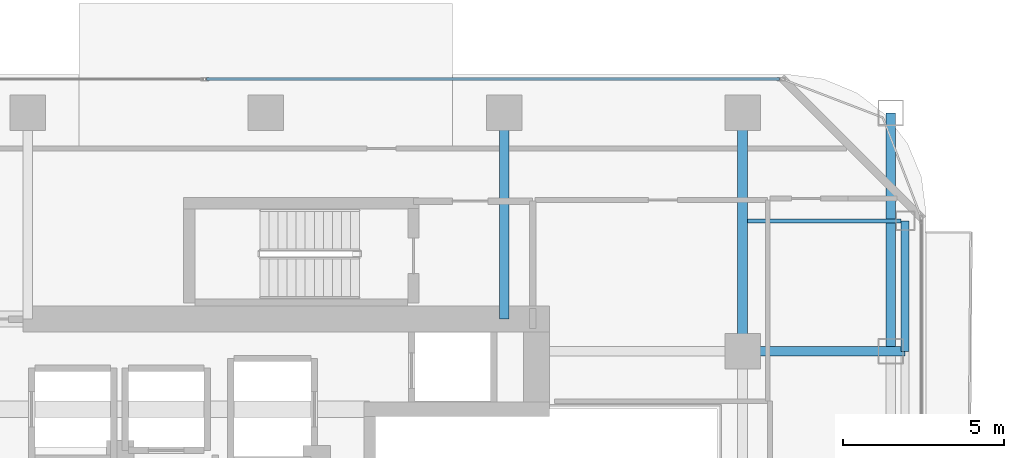
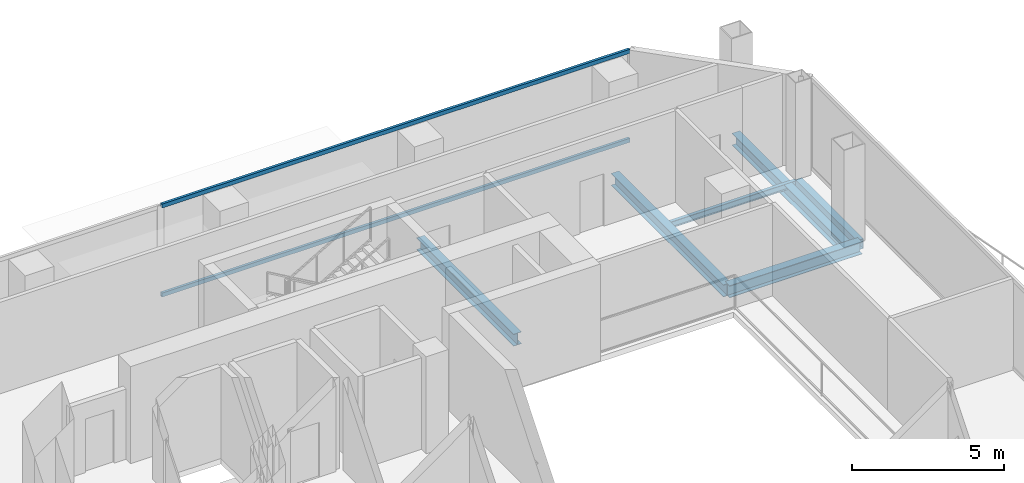
# One storey, part 14 of 23: 6 beams, 2 members, 1 element without a shape of its own.
"""IFC4 building model written with IfcOpenShell, lengths in metres."""

from ifc_helpers import new_model, si_unit, direction, frame, origin, origin_2d, place, context, subcontext, project, spatial, hollow_rectangle, i_section, extrude, material, layer, layer_set, material_profile, profile_set, type_object, element, aggregate, save


model = new_model("IFC4")

# Units and contexts
model_context = context("Model", 3, precision=1e-05, world=origin(), true_north=direction((0.0, 1.0)))
body_context = subcontext(model_context, "Body", "Model", "MODEL_VIEW")
ifc_project = project(units=[si_unit("LENGTHUNIT", "METRE"), si_unit("AREAUNIT", "SQUARE_METRE"), si_unit("VOLUMEUNIT", "CUBIC_METRE"), si_unit("PLANEANGLEUNIT", "RADIAN"), si_unit("MASSUNIT", "GRAM", prefix="KILO")], contexts=[model_context])

# Site, building, storey
site_placement = place(None, origin())
site = spatial("IfcSite", under=ifc_project, at=site_placement, CompositionType="ELEMENT")
building_placement = place(site_placement, origin())
building = spatial("IfcBuilding", under=site, at=building_placement, Name="Khorvyn Point Tower", CompositionType="ELEMENT")
storey_placement = place(building_placement, frame((0.0, 0.0, 195.300048828125)))
storey = spatial("IfcBuildingStorey", under=building, at=storey_placement, Name="L48", CompositionType="ELEMENT", Elevation=195.300048828125)

# Curtain wall, members
ifc_material_1 = material(Name="Anodised aluminium 6063-T6 and laminated Low-E glass", Category="aluminium")
ifc_layer = layer(ifc_material_1, 0.18994140625)
ifc_layer_set = layer_set([ifc_layer], Name="Stick-Built Acoustic Curtain Wall CW-SYS-03")
curtain_wall_type = type_object("IfcCurtainWallType", Name="Stick-Built Acoustic Curtain Wall CW-SYS-03", PredefinedType="NOTDEFINED", material=ifc_layer_set)
curtain_wall_placement = place(storey_placement, origin())
curtain_wall = element("IfcCurtainWall", 1, at=curtain_wall_placement, inside=storey, type_object=curtain_wall_type, Name="Curtain Wall", PredefinedType="NOTDEFINED")
ifc_material_2 = material(Name="Anodised aluminium 6063-T6", Category="aluminium")
ifc_material_profile_1 = material_profile(ifc_material_2, hollow_rectangle(XDim=0.10009765625, YDim=0.159912109375, WallThickness=0.00439453125, at=origin_2d()))
ifc_profile_set_1 = profile_set([ifc_material_profile_1], Name="Anodised aluminium 6063-T6 ALU-TRN-100x160")
member_type = type_object("IfcMemberType", Name="Anodised Aluminium 6063-T6 Transom ALU-TRN-100x160", PredefinedType="USERDEFINED", material=ifc_profile_set_1)
member_1_placement = place(storey_placement, frame((-1.85009765625, 15.85009765625, 0.050048828125), z_axis=(1.0, 0.0, 0.0), x_axis=(0.0, 1.0, 0.0)))
member_1 = element("IfcMember", 2, at=member_1_placement, type_object=member_type, Name="Transom", ObjectType="TRANSOM", PredefinedType="USERDEFINED", context=body_context, shape_type="SweptSolid", body=[
    extrude(hollow_rectangle(XDim=0.10009765625, YDim=0.159912109375, WallThickness=0.00439453125, at=origin_2d()), origin(), (0.0, 0.0, 1.0), 17.800048828125),
])
member_2_placement = place(storey_placement, frame((-1.85009765625, 15.85009765625, 3.6298828125), z_axis=(1.0, 0.0, 0.0), x_axis=(0.0, 1.0, 0.0)))
member_2 = element("IfcMember", 3, at=member_2_placement, type_object=member_type, Name="Transom", ObjectType="TRANSOM", PredefinedType="USERDEFINED", context=body_context, shape_type="SweptSolid", body=[
    extrude(hollow_rectangle(XDim=0.10009765625, YDim=0.159912109375, WallThickness=0.00439453125, at=origin_2d()), origin(), (0.0, 0.0, 1.0), 17.800048828125),
])
aggregate(curtain_wall, [member_1, member_2])

# Beams
ifc_material_3 = material(Name="Steel S355", Category="steel")
ifc_material_profile_2 = material_profile(ifc_material_3, i_section(OverallWidth=0.125, OverallDepth=0.25, WebThickness=0.006103515625, FlangeThickness=0.009033203125, at=origin_2d()))
ifc_profile_set_2 = profile_set([ifc_material_profile_2], Name="Steel S355 H250x125x6x9")
beam_type_1 = type_object("IfcBeamType", Name="Steel S355 Joist H250x125x6x9", PredefinedType="JOIST", material=ifc_profile_set_2)
beam_1_placement = place(storey_placement, frame((14.949951171875, 11.449951171875, -0.344970703125), z_axis=(1.0, 0.0, 0.0), x_axis=(0.0, 1.0, 0.0)))
element("IfcBeam", 4, at=beam_1_placement, inside=storey, type_object=beam_type_1, Name="Beam", PredefinedType="JOIST", context=body_context, shape_type="SweptSolid", body=[
    extrude(i_section(OverallWidth=0.125, OverallDepth=0.25, WebThickness=0.006103515625, FlangeThickness=0.009033203125, at=origin_2d()), origin(), (0.0, 0.0, 1.0), 4.775146484375),
])
ifc_material_profile_3 = material_profile(ifc_material_3, i_section(OverallWidth=0.300048828125, OverallDepth=0.488037109375, WebThickness=0.010986328125, FlangeThickness=0.01806640625, at=origin_2d()))
ifc_profile_set_3 = profile_set([ifc_material_profile_3], Name="Steel S355 H488x300x11x18")
beam_type_2 = type_object("IfcBeamType", Name="Steel S355 Spandrel H488x300x11x18", PredefinedType="SPANDREL", material=ifc_profile_set_3)
beam_2_placement = place(storey_placement, frame((14.800048828125, 7.39990234375, -0.464111328125), z_axis=(1.0, 0.0, 0.0), x_axis=(0.0, 1.0, 0.0)))
element("IfcBeam", 5, at=beam_2_placement, inside=storey, type_object=beam_type_2, Name="Beam", PredefinedType="SPANDREL", context=body_context, shape_type="SweptSolid", body=[
    extrude(i_section(OverallWidth=0.300048828125, OverallDepth=0.488037109375, WebThickness=0.010986328125, FlangeThickness=0.01806640625, at=origin_2d()), origin(), (0.0, 0.0, 1.0), 5.050048828125),
])
beam_3_placement = place(storey_placement, frame((14.800048828125, 7.39990234375, -0.464111328125), z_axis=(0.0, 1.0, 0.0), x_axis=(-1.0, 0.0, 0.0)))
element("IfcBeam", 6, at=beam_3_placement, inside=storey, type_object=beam_type_2, Name="Beam", PredefinedType="SPANDREL", context=body_context, shape_type="SweptSolid", body=[
    extrude(i_section(OverallWidth=0.300048828125, OverallDepth=0.488037109375, WebThickness=0.010986328125, FlangeThickness=0.01806640625, at=origin_2d()), origin(), (0.0, 0.0, 1.0), 7.400146484375),
])
beam_4_placement = place(storey_placement, frame((7.39990234375, 8.39990234375, -0.464111328125), z_axis=(0.0, 1.0, 0.0), x_axis=(-1.0, 0.0, 0.0)))
element("IfcBeam", 7, at=beam_4_placement, inside=storey, type_object=beam_type_2, Name="Beam", PredefinedType="SPANDREL", context=body_context, shape_type="SweptSolid", body=[
    extrude(i_section(OverallWidth=0.300048828125, OverallDepth=0.488037109375, WebThickness=0.010986328125, FlangeThickness=0.01806640625, at=origin_2d()), origin(), (0.0, 0.0, 1.0), 6.400146484375),
])
beam_5_placement = place(storey_placement, frame((19.39990234375, 7.39990234375, -0.464111328125), z_axis=(0.0, 1.0, 0.0), x_axis=(-1.0, 0.0, 0.0)))
element("IfcBeam", 8, at=beam_5_placement, inside=storey, type_object=beam_type_2, Name="Beam", PredefinedType="SPANDREL", context=body_context, shape_type="SweptSolid", body=[
    extrude(i_section(OverallWidth=0.300048828125, OverallDepth=0.488037109375, WebThickness=0.010986328125, FlangeThickness=0.01806640625, at=origin_2d()), origin(), (0.0, 0.0, 1.0), 7.400146484375),
])
ifc_material_profile_4 = material_profile(ifc_material_3, hollow_rectangle(XDim=0.25, YDim=0.39990234375, WallThickness=0.01611328125, at=origin_2d()))
ifc_profile_set_4 = profile_set([ifc_material_profile_4], Name="Steel S355 RHS400x250x16")
beam_type_3 = type_object("IfcBeamType", Name="Steel S355 Spandrel RHS400x250x16", PredefinedType="SPANDREL", material=ifc_profile_set_4)
beam_6_placement = place(storey_placement, frame((19.85009765625, 7.39990234375, -0.420166015625), z_axis=(0.0, 1.0, 0.0), x_axis=(-1.0, 0.0, 0.0)))
element("IfcBeam", 9, at=beam_6_placement, inside=storey, type_object=beam_type_3, Name="Beam", PredefinedType="SPANDREL", context=body_context, shape_type="SweptSolid", body=[
    extrude(hollow_rectangle(XDim=0.25, YDim=0.39990234375, WallThickness=0.01611328125, at=origin_2d()), origin(), (0.0, 0.0, 1.0), 4.050048828125),
])

save(model, "model.ifc")
